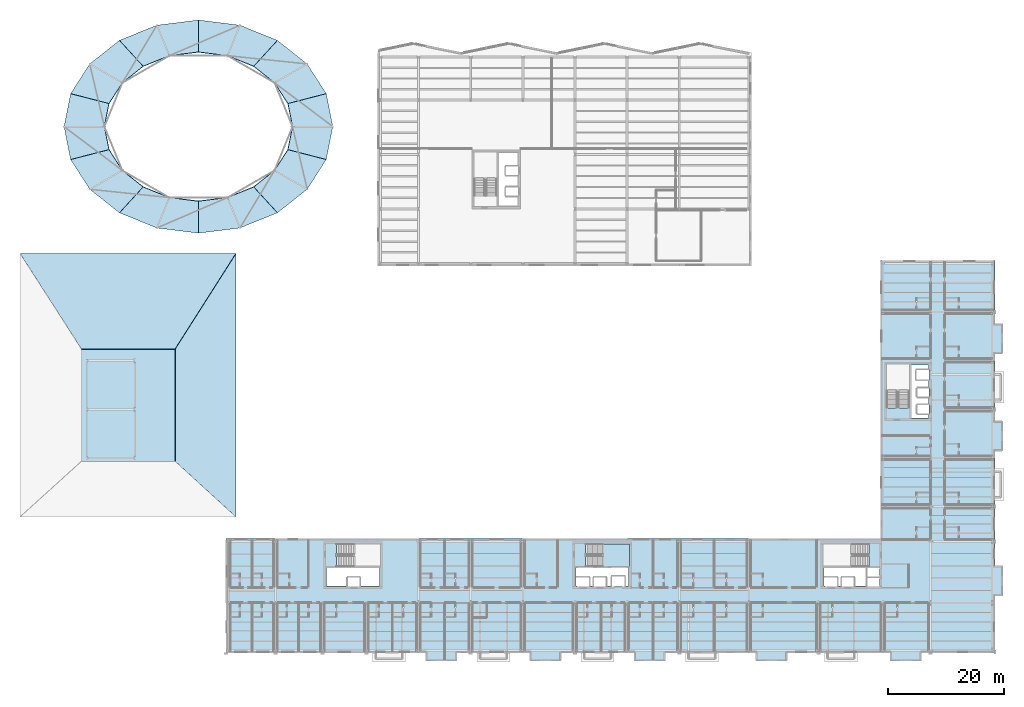
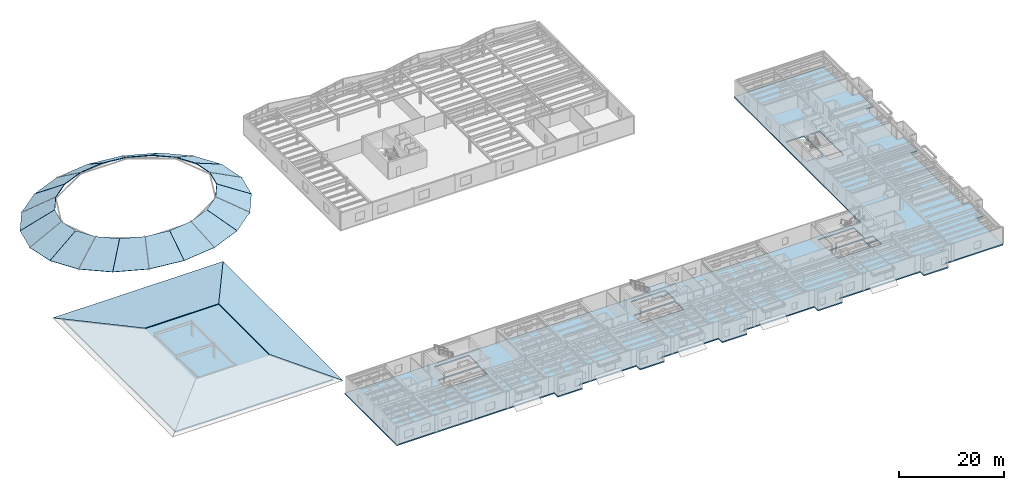
# One storey, part 20 of 46: 25 slabs, 1 element without a shape of its own.
"""IFC4 building model written with IfcOpenShell, lengths in metres."""

from ifc_helpers import new_model, si_unit, direction, frame, origin, place, context, subcontext, project, spatial, polyline, outline, extrude, material, layer, layer_set, type_object, element, aggregate, save


model = new_model("IFC4")

# Units and contexts
model_context = context("Model", 3, precision=1e-05, world=origin(), true_north=direction((0.0, 1.0)))
body_context = subcontext(model_context, "Body", "Model", "MODEL_VIEW")
ifc_project = project(units=[si_unit("LENGTHUNIT", "METRE"), si_unit("AREAUNIT", "SQUARE_METRE"), si_unit("VOLUMEUNIT", "CUBIC_METRE"), si_unit("PLANEANGLEUNIT", "RADIAN"), si_unit("MASSUNIT", "GRAM", prefix="KILO")], contexts=[model_context])

# Site, building, storey
site_placement = place(None, origin())
site = spatial("IfcSite", under=ifc_project, at=site_placement, CompositionType="ELEMENT")
building_placement = place(site_placement, origin())
building = spatial("IfcBuilding", under=site, at=building_placement, Name="Sollismere Congress Hotel", CompositionType="ELEMENT")
storey_placement = place(building_placement, frame((0.0, 0.0, 19.5)))
storey = spatial("IfcBuildingStorey", under=building, at=storey_placement, Name="L04", CompositionType="ELEMENT", Elevation=19.5)

# Slabs
ifc_material_1 = material(Name="Standing-Seam Zinc on Precast Concrete C40/50", Category="concrete")
ifc_layer_1 = layer(ifc_material_1, 0.139892578125, Name="Standing-Seam Zinc on Precast Concrete C40/50")
ifc_layer_set_1 = layer_set([ifc_layer_1], Name="Standing-Seam Zinc on Precast Concrete C40/50")
slab_type_1 = type_object("IfcSlabType", Name="SL-DOME140", PredefinedType="ROOF", material=ifc_layer_set_1)
slab_1_placement = place(storey_placement, frame((52.135986328125, 90.394775390625, 0.226318359375), z_axis=(0.457467784653, 0.091349917699, 0.884521576074), x_axis=(-0.195829395667, 0.980637979974, 5.020841e-06)))
element("IfcSlab", 1, at=slab_1_placement, inside=storey, type_object=slab_type_1, Name="Congress shell dome standing-seam panel SL-DM-201", PredefinedType="ROOF", context=body_context, shape_type="SweptSolid", body=[
    extrude(outline(polyline([(0.0, 0.0), (5.783447265625, 0.0), (5.4091796875, 7.716796875), (1.360595703125, 7.716796875), (0.0, 0.0)])), origin(), (0.0, 0.0, 1.0), 0.139892578125),
])
slab_2_placement = place(storey_placement, frame((51.00439453125, 96.056396484375, 0.227783203125), z_axis=(0.408028470125, 0.262127311395, 0.874529610813), x_axis=(-0.540507599978, 0.841339131587, 5.173725e-06)))
element("IfcSlab", 2, at=slab_2_placement, inside=storey, type_object=slab_type_1, Name="Congress shell dome standing-seam panel SL-DM-202", PredefinedType="ROOF", context=body_context, shape_type="SweptSolid", body=[
    extrude(outline(polyline([(0.0, 0.0), (6.0810546875, 0.0), (6.397216796875, 7.4228515625), (2.140380859375, 7.4228515625), (0.0, 0.0)])), origin(), (0.0, 0.0, 1.0), 0.139892578125),
])
slab_3_placement = place(storey_placement, frame((47.71923828125, 101.1650390625, 0.22998046875), z_axis=(0.318078694789, 0.401060637022, 0.859055475131), x_axis=(-0.783503737824, 0.621387071647, 2.271678e-06)))
element("IfcSlab", 3, at=slab_3_placement, inside=storey, type_object=slab_type_1, Name="Congress shell dome standing-seam panel SL-DM-203", PredefinedType="ROOF", context=body_context, shape_type="SweptSolid", body=[
    extrude(outline(polyline([(0.0, 0.0), (6.5341796875, 0.0), (6.96728515625, 7.032470703125), (2.393310546875, 7.03271484375), (0.0, 0.0)])), origin(), (0.0, 0.0, 1.0), 0.139892578125),
])
slab_4_placement = place(storey_placement, frame((42.60107421875, 105.220703125, 0.23193359375), z_axis=(0.200724162487, 0.496723742778, 0.844378667397), x_axis=(-0.927159913874, 0.374665843252, -2.395546e-06)))
element("IfcSlab", 4, at=slab_4_placement, inside=storey, type_object=slab_type_1, Name="Congress shell dome standing-seam panel SL-DM-204", PredefinedType="ROOF", context=body_context, shape_type="SweptSolid", body=[
    extrude(outline(polyline([(0.0, 0.0), (6.9580078125, 0.0), (6.98779296875, 6.71923828125), (2.117431640625, 6.71923828125), (0.0, 0.0)])), origin(), (0.0, 0.0, 1.0), 0.139892578125),
])
slab_5_placement = place(storey_placement, frame((36.15087890625, 107.825439453125, 0.233154296875), z_axis=(0.068465570987, 0.544944795671, 0.835671966301), x_axis=(-0.992199967516, 0.124656425665, 7.98036e-07)))
element("IfcSlab", 5, at=slab_5_placement, inside=storey, type_object=slab_type_1, Name="Congress shell dome standing-seam panel SL-DM-205", PredefinedType="ROOF", context=body_context, shape_type="SweptSolid", body=[
    extrude(outline(polyline([(0.0, 0.0), (7.207275390625, 0.0), (6.52197265625, 6.554443359375), (1.47705078125, 6.554443359375), (0.0, 0.0)])), origin(), (0.0, 0.0, 1.0), 0.139892578125),
])
slab_6_placement = place(storey_placement, frame((29.000244140625, 108.723876953125, 0.233154296875), z_axis=(-0.068465570987, 0.544944795671, 0.835671966301), x_axis=(-0.992199967516, -0.124656425665, -7.98036e-07)))
element("IfcSlab", 6, at=slab_6_placement, inside=storey, type_object=slab_type_1, Name="Congress shell dome standing-seam panel SL-DM-206", PredefinedType="ROOF", context=body_context, shape_type="SweptSolid", body=[
    extrude(outline(polyline([(0.0, 0.0), (7.207275390625, 0.0), (5.73046875, 6.554443359375), (0.685546875, 6.554443359375), (0.0, 0.0)])), origin(), (0.0, 0.0, 1.0), 0.139892578125),
])
slab_7_placement = place(storey_placement, frame((21.85009765625, 107.82763671875, 0.23193359375), z_axis=(-0.200724162487, 0.496723742778, 0.844378667397), x_axis=(-0.927159913874, -0.374665843252, 2.395546e-06)))
element("IfcSlab", 7, at=slab_7_placement, inside=storey, type_object=slab_type_1, Name="Congress shell dome standing-seam panel SL-DM-207", PredefinedType="ROOF", context=body_context, shape_type="SweptSolid", body=[
    extrude(outline(polyline([(0.0, 0.0), (6.9580078125, 0.0), (4.840576171875, 6.71923828125), (-0.02978515625, 6.71923828125), (0.0, 0.0)])), origin(), (0.0, 0.0, 1.0), 0.139892578125),
])
slab_8_placement = place(storey_placement, frame((15.400390625, 105.225341796875, 0.22998046875), z_axis=(-0.318078694789, 0.401060637022, 0.859055475131), x_axis=(-0.783503737824, -0.621387071647, -2.271678e-06)))
element("IfcSlab", 8, at=slab_8_placement, inside=storey, type_object=slab_type_1, Name="Congress shell dome standing-seam panel SL-DM-208", PredefinedType="ROOF", context=body_context, shape_type="SweptSolid", body=[
    extrude(outline(polyline([(0.0, 0.0), (6.5341796875, 0.0), (4.14111328125, 7.03271484375), (-0.43310546875, 7.032470703125), (0.0, 0.0)])), origin(), (0.0, 0.0, 1.0), 0.139892578125),
])
slab_9_placement = place(storey_placement, frame((10.282470703125, 101.172607421875, 0.227783203125), z_axis=(-0.408028470125, 0.262127311395, 0.874529610813), x_axis=(-0.540507599978, -0.841339131587, -5.173725e-06)))
element("IfcSlab", 9, at=slab_9_placement, inside=storey, type_object=slab_type_1, Name="Congress shell dome standing-seam panel SL-DM-209", PredefinedType="ROOF", context=body_context, shape_type="SweptSolid", body=[
    extrude(outline(polyline([(0.0, 0.0), (6.0810546875, 0.0), (3.940673828125, 7.4228515625), (-0.316162109375, 7.4228515625), (0.0, 0.0)])), origin(), (0.0, 0.0, 1.0), 0.139892578125),
])
slab_10_placement = place(storey_placement, frame((6.99658203125, 96.066162109375, 0.226318359375), z_axis=(-0.457467784653, 0.091349917699, 0.884521576074), x_axis=(-0.195829395667, -0.980637979974, -5.020841e-06)))
element("IfcSlab", 10, at=slab_10_placement, inside=storey, type_object=slab_type_1, Name="Congress shell dome standing-seam panel SL-DM-210", PredefinedType="ROOF", context=body_context, shape_type="SweptSolid", body=[
    extrude(outline(polyline([(0.0, 0.0), (5.783447265625, 0.0), (4.4228515625, 7.716796875), (0.374267578125, 7.716796875), (0.0, 0.0)])), origin(), (0.0, 0.0, 1.0), 0.139892578125),
])
slab_11_placement = place(storey_placement, frame((5.864013671875, 90.4052734375, 0.226318359375), z_axis=(-0.457468719657, -0.091352417594, 0.884520834314), x_axis=(0.195830433376, -0.980637772755, 3.014401e-06)))
element("IfcSlab", 11, at=slab_11_placement, inside=storey, type_object=slab_type_1, Name="Congress shell dome standing-seam panel SL-DM-211", PredefinedType="ROOF", context=body_context, shape_type="SweptSolid", body=[
    extrude(outline(polyline([(0.0, 0.0), (5.783447265625, 0.0), (5.4091796875, 7.716796875), (1.36083984375, 7.716796875), (0.0, 0.0)])), origin(), (0.0, 0.0, 1.0), 0.139892578125),
])
slab_12_placement = place(storey_placement, frame((6.99560546875, 84.74365234375, 0.227783203125), z_axis=(-0.408028470125, -0.262127311395, 0.874529610813), x_axis=(0.540507599978, -0.841339131587, 5.173725e-06)))
element("IfcSlab", 12, at=slab_12_placement, inside=storey, type_object=slab_type_1, Name="Congress shell dome standing-seam panel SL-DM-212", PredefinedType="ROOF", context=body_context, shape_type="SweptSolid", body=[
    extrude(outline(polyline([(0.0, 0.0), (6.0810546875, 0.0), (6.397216796875, 7.4228515625), (2.140380859375, 7.4228515625), (0.0, 0.0)])), origin(), (0.0, 0.0, 1.0), 0.139892578125),
])
slab_13_placement = place(storey_placement, frame((10.28076171875, 79.635009765625, 0.22998046875), z_axis=(-0.318080939359, -0.401049282281, 0.859059945055), x_axis=(0.783487509924, -0.621407532771, -3.028763e-06)))
element("IfcSlab", 13, at=slab_13_placement, inside=storey, type_object=slab_type_1, Name="Congress shell dome standing-seam panel SL-DM-213", PredefinedType="ROOF", context=body_context, shape_type="SweptSolid", body=[
    extrude(outline(polyline([(0.0, 0.0), (6.534423828125, 0.0), (6.967041015625, 7.03271484375), (2.39306640625, 7.03271484375), (0.0, 0.0)])), origin(), (0.0, 0.0, 1.0), 0.139892578125),
])
slab_14_placement = place(storey_placement, frame((15.39892578125, 75.579345703125, 0.23193359375), z_axis=(-0.200724162487, -0.496723742778, 0.844378667397), x_axis=(0.927159913874, -0.374665843252, -2.395546e-06)))
element("IfcSlab", 14, at=slab_14_placement, inside=storey, type_object=slab_type_1, Name="Congress shell dome standing-seam panel SL-DM-214", PredefinedType="ROOF", context=body_context, shape_type="SweptSolid", body=[
    extrude(outline(polyline([(0.0, 0.0), (6.9580078125, 0.0), (6.98779296875, 6.71923828125), (2.117431640625, 6.71923828125), (0.0, 0.0)])), origin(), (0.0, 0.0, 1.0), 0.139892578125),
])
slab_15_placement = place(storey_placement, frame((21.84912109375, 72.974365234375, 0.233154296875), z_axis=(-0.068444159575, -0.544948590004, 0.835671245929), x_axis=(0.992204379623, -0.124621302567, -1.924475e-06)))
element("IfcSlab", 15, at=slab_15_placement, inside=storey, type_object=slab_type_1, Name="Congress shell dome standing-seam panel SL-DM-215", PredefinedType="ROOF", context=body_context, shape_type="SweptSolid", body=[
    extrude(outline(polyline([(0.0, 0.0), (7.207275390625, 0.0), (6.52197265625, 6.554443359375), (1.47705078125, 6.554443359375), (0.0, 0.0)])), origin(), (0.0, 0.0, 1.0), 0.139892578125),
])
slab_16_placement = place(storey_placement, frame((28.999755859375, 72.076171875, 0.233154296875), z_axis=(0.068444159575, -0.544948590004, 0.835671245929), x_axis=(0.992204379623, 0.124621302567, 1.924475e-06)))
element("IfcSlab", 16, at=slab_16_placement, inside=storey, type_object=slab_type_1, Name="Congress shell dome standing-seam panel SL-DM-216", PredefinedType="ROOF", context=body_context, shape_type="SweptSolid", body=[
    extrude(outline(polyline([(0.0, 0.0), (7.207275390625, 0.0), (5.730224609375, 6.554443359375), (0.685302734375, 6.554443359375), (0.0, 0.0)])), origin(), (0.0, 0.0, 1.0), 0.139892578125),
])
slab_17_placement = place(storey_placement, frame((36.14990234375, 72.972412109375, 0.23193359375), z_axis=(0.200724162487, -0.496723742778, 0.844378667397), x_axis=(0.927159913874, 0.374665843252, 2.395546e-06)))
element("IfcSlab", 17, at=slab_17_placement, inside=storey, type_object=slab_type_1, Name="Congress shell dome standing-seam panel SL-DM-217", PredefinedType="ROOF", context=body_context, shape_type="SweptSolid", body=[
    extrude(outline(polyline([(0.0, 0.0), (6.9580078125, 0.0), (4.840576171875, 6.71923828125), (-0.02978515625, 6.71923828125), (0.0, 0.0)])), origin(), (0.0, 0.0, 1.0), 0.139892578125),
])
slab_18_placement = place(storey_placement, frame((42.599609375, 75.574462890625, 0.22998046875), z_axis=(0.318080939359, -0.401049282281, 0.859059945055), x_axis=(0.783487509924, 0.621407532771, 3.028763e-06)))
element("IfcSlab", 18, at=slab_18_placement, inside=storey, type_object=slab_type_1, Name="Congress shell dome standing-seam panel SL-DM-218", PredefinedType="ROOF", context=body_context, shape_type="SweptSolid", body=[
    extrude(outline(polyline([(0.0, 0.0), (6.534423828125, 0.0), (4.141357421875, 7.03271484375), (-0.4326171875, 7.03271484375), (0.0, 0.0)])), origin(), (0.0, 0.0, 1.0), 0.139892578125),
])
slab_19_placement = place(storey_placement, frame((47.717529296875, 79.62744140625, 0.227783203125), z_axis=(0.408028470125, -0.262127311395, 0.874529610813), x_axis=(0.540507599978, 0.841339131587, -5.173725e-06)))
element("IfcSlab", 19, at=slab_19_placement, inside=storey, type_object=slab_type_1, Name="Congress shell dome standing-seam panel SL-DM-219", PredefinedType="ROOF", context=body_context, shape_type="SweptSolid", body=[
    extrude(outline(polyline([(0.0, 0.0), (6.0810546875, 0.0), (3.940673828125, 7.4228515625), (-0.316162109375, 7.4228515625), (0.0, 0.0)])), origin(), (0.0, 0.0, 1.0), 0.139892578125),
])
slab_20_placement = place(storey_placement, frame((51.00341796875, 84.73388671875, 0.226318359375), z_axis=(0.457468719657, -0.091352417594, 0.884520834314), x_axis=(0.195830433376, 0.980637772755, -3.014401e-06)))
element("IfcSlab", 20, at=slab_20_placement, inside=storey, type_object=slab_type_1, Name="Congress shell dome standing-seam panel SL-DM-220", PredefinedType="ROOF", context=body_context, shape_type="SweptSolid", body=[
    extrude(outline(polyline([(0.0, 0.0), (5.783447265625, 0.0), (4.422607421875, 7.716796875), (0.374267578125, 7.716796875), (0.0, 0.0)])), origin(), (0.0, 0.0, 1.0), 0.139892578125),
])
ifc_material_2 = material(Name="Concrete C40/50", Category="concrete")
ifc_layer_2 = layer(ifc_material_2, 0.27490234375, Name="Concrete C40/50")
ifc_layer_set_2 = layer_set([ifc_layer_2], Name="Concrete C40/50")
slab_type_2 = type_object("IfcSlabType", Name="SL-FLR275", PredefinedType="FLOOR", material=ifc_layer_set_2)
slab_21_placement = place(storey_placement, frame((0.0, 0.0, -0.27490234375)))
element("IfcSlab", 21, at=slab_21_placement, inside=storey, type_object=slab_type_2, Name="Slab SL-L04-V5", PredefinedType="FLOOR", context=body_context, shape_type="SweptSolid", body=[
    extrude(outline(polyline([(73.60009765625, -1.85009765625), (73.60009765625, -0.47998046875), (86.199951171875, -0.47998046875), (86.199951171875, -1.85009765625), (91.60009765625, -1.85009765625), (91.60009765625, -0.47998046875), (104.199951171875, -0.47998046875), (104.199951171875, -1.85009765625), (109.60009765625, -1.85009765625), (109.60009765625, -0.47998046875), (125.199951171875, -0.47998046875), (125.199951171875, -1.85009765625), (130.60009765625, -1.85009765625), (130.60009765625, -0.47998046875), (148.39990234375, -0.47998046875), (148.39990234375, -1.85009765625), (153.800048828125, -1.85009765625), (153.800048828125, -0.47998046875), (166.47998046875, -0.47998046875), (166.47998046875, 9.39990234375), (167.85009765625, 9.39990234375), (167.85009765625, 14.60009765625), (166.47998046875, 14.60009765625), (166.47998046875, 19.280029296875), (166.47998046875, 34.39990234375), (167.85009765625, 34.39990234375), (167.85009765625, 39.60009765625), (166.47998046875, 39.60009765625), (166.47998046875, 51.199951171875), (167.85009765625, 51.199951171875), (167.85009765625, 56.39990234375), (166.47998046875, 56.39990234375), (166.47998046875, 67.280029296875), (146.719970703125, 67.280029296875), (146.719970703125, 19.280029296875), (33.719970703125, 19.280029296875), (33.719970703125, -0.47998046875), (68.199951171875, -0.47998046875), (68.199951171875, -1.85009765625), (73.60009765625, -1.85009765625)]), holes=[polyline([(54.7548828125, 11.050048828125), (54.7548828125, 11.139892578125), (51.139892578125, 11.139892578125), (51.139892578125, 14.179931640625), (60.260009765625, 14.179931640625), (60.260009765625, 11.139892578125), (56.844970703125, 11.139892578125), (56.844970703125, 11.050048828125), (54.7548828125, 11.050048828125)]), polyline([(94.35498046875, 11.050048828125), (94.35498046875, 11.139892578125), (94.139892578125, 11.139892578125), (94.139892578125, 14.179931640625), (103.260009765625, 14.179931640625), (103.260009765625, 11.139892578125), (102.570068359375, 11.139892578125), (102.570068359375, 11.054931640625), (100.330078125, 11.054931640625), (100.330078125, 11.139892578125), (99.344970703125, 11.139892578125), (99.344970703125, 11.050048828125), (97.2548828125, 11.050048828125), (97.2548828125, 11.139892578125), (96.445068359375, 11.139892578125), (96.445068359375, 11.050048828125), (94.35498046875, 11.050048828125)]), polyline([(137.155029296875, 11.050048828125), (137.155029296875, 11.139892578125), (136.93994140625, 11.139892578125), (136.93994140625, 14.179931640625), (144.22705078125, 14.179931640625), (144.22705078125, 11.139892578125), (142.14501953125, 11.139892578125), (142.14501953125, 11.050048828125), (140.054931640625, 11.050048828125), (140.054931640625, 11.139892578125), (139.2451171875, 11.139892578125), (139.2451171875, 11.050048828125), (137.155029296875, 11.050048828125)]), polyline([(52.8505859375, 18.35009765625), (60.39990234375, 18.35009765625), (60.39990234375, 14.449951171875), (52.8505859375, 14.449951171875), (52.8505859375, 18.35009765625)]), polyline([(95.8505859375, 14.449951171875), (95.8505859375, 18.35009765625), (103.39990234375, 18.35009765625), (103.39990234375, 14.449951171875), (95.8505859375, 14.449951171875)]), polyline([(146.550048828125, 11.0048828125), (144.409912109375, 11.0048828125), (144.409912109375, 12.4951171875), (146.550048828125, 12.4951171875), (146.550048828125, 11.0048828125)]), polyline([(144.409912109375, 12.705078125), (144.409912109375, 14.195068359375), (146.550048828125, 14.195068359375), (146.550048828125, 12.705078125), (144.409912109375, 12.705078125)]), polyline([(144.749267578125, 14.449951171875), (136.800048828125, 14.449951171875), (136.800048828125, 18.35009765625), (144.749267578125, 18.35009765625), (144.749267578125, 14.449951171875)]), polyline([(155.06005859375, 40.830078125), (155.06005859375, 40.139892578125), (151.969970703125, 40.139892578125), (151.969970703125, 49.260009765625), (155.06005859375, 49.260009765625), (155.06005859375, 48.39501953125), (155.139892578125, 48.39501953125), (155.139892578125, 46.705078125), (155.06005859375, 46.705078125), (155.06005859375, 45.27001953125), (155.14501953125, 45.27001953125), (155.14501953125, 43.72998046875), (155.06005859375, 43.72998046875), (155.06005859375, 42.3701171875), (155.14501953125, 42.3701171875), (155.14501953125, 40.830078125), (155.06005859375, 40.830078125)]), polyline([(147.800048828125, 41.8505859375), (147.800048828125, 49.39990234375), (151.699951171875, 49.39990234375), (151.699951171875, 41.8505859375), (147.800048828125, 41.8505859375)])]), origin(), (0.0, 0.0, 1.0), 0.27490234375),
])

# Stair, slab
stair_type = type_object("IfcStairType", Name="STR-DL-390", PredefinedType="HALF_TURN_STAIR", material=ifc_material_2)
stair_placement = place(storey_placement, origin())
stair = element("IfcStair", 22, at=stair_placement, inside=storey, type_object=stair_type, Name="Protected exit stair ST-02-L04", PredefinedType="HALF_TURN_STAIR")
ifc_layer_3 = layer(ifc_material_2, 0.199951171875, Name="Concrete C40/50")
ifc_layer_set_3 = layer_set([ifc_layer_3], Name="Concrete C40/50")
slab_type_3 = type_object("IfcSlabType", Name="SL-LND200", PredefinedType="LANDING", material=ifc_layer_set_3)
slab_22_placement = place(storey_placement, frame((0.0, 0.0, 1.75)))
slab_22 = element("IfcSlab", 23, at=slab_22_placement, type_object=slab_type_3, Name="Exit stair half-landing ST-02-L04-L1", PredefinedType="LANDING", context=body_context, shape_type="SweptSolid", body=[
    extrude(outline(polyline([(98.75, 14.449951171875), (103.39990234375, 14.449951171875), (103.39990234375, 18.35009765625), (98.75, 18.35009765625), (98.75, 14.449951171875)])), origin(), (0.0, 0.0, 1.0), 0.199951171875),
])
aggregate(stair, [slab_22])

# Slabs
ifc_layer_4 = layer(ifc_material_2, 0.27490234375, Name="Concrete C40/50")
ifc_layer_set_4 = layer_set([ifc_layer_4], Name="Concrete C40/50")
slab_type_4 = type_object("IfcSlabType", Name="SL-ROOF275", PredefinedType="ROOF", material=ifc_layer_set_4)
slab_23_placement = place(storey_placement, frame((0.0, 0.0, -0.27490234375)))
element("IfcSlab", 24, at=slab_23_placement, inside=storey, type_object=slab_type_4, Name="Slab SL-L04-RF3", PredefinedType="ROOF", context=body_context, shape_type="SweptSolid", body=[
    extrude(outline(polyline([(34.199951171875, 24.320068359375), (34.199951171875, 67.280029296875), (-0.47998046875, 67.280029296875), (-0.47998046875, 24.320068359375), (34.199951171875, 24.320068359375)])), origin(), (0.0, 0.0, 1.0), 0.27490234375),
])
ifc_layer_5 = layer(ifc_material_1, 0.14990234375, Name="Standing-Seam Zinc on Precast Concrete C40/50")
ifc_layer_set_5 = layer_set([ifc_layer_5], Name="Standing-Seam Zinc on Precast Concrete C40/50")
slab_type_5 = type_object("IfcSlabType", Name="SL-SACAK150", PredefinedType="ROOF", material=ifc_layer_set_5)
slab_24_placement = place(storey_placement, frame((24.94775390625, 32.60205078125, 3.75927734375), z_axis=(0.348178867947, 0.0, 0.937428117732), x_axis=(0.711768534804, -0.65076642312, -0.264364550199)))
element("IfcSlab", 25, at=slab_24_placement, inside=storey, type_object=slab_type_5, Name="Hipped roof facet SL-V3H-E", PredefinedType="ROOF", context=body_context, shape_type="SweptSolid", body=[
    extrude(outline(polyline([(0.0, 0.0), (14.751953125, 0.0), (-14.855224609375, 34.544189453125), (-12.622314453125, 14.72705078125), (0.0, 0.0)])), origin(), (0.0, 0.0, 1.0), 0.14990234375),
])
slab_25_placement = place(storey_placement, frame((8.802001953125, 51.965576171875, 3.75390625), z_axis=(0.0, 0.23001999883, 0.973185902147), x_axis=(1.0, 0.0, 0.0)))
element("IfcSlab", 26, at=slab_25_placement, inside=storey, type_object=slab_type_5, Name="Hipped roof facet SL-V3H-N", PredefinedType="ROOF", context=body_context, shape_type="SweptSolid", body=[
    extrude(outline(polyline([(0.0, 0.0), (16.196044921875, 0.0), (26.696044921875, 16.95458984375), (-10.60009765625, 16.95458984375), (0.0, 0.0)])), origin(), (0.0, 0.0, 1.0), 0.14990234375),
])

save(model, "model.ifc")
